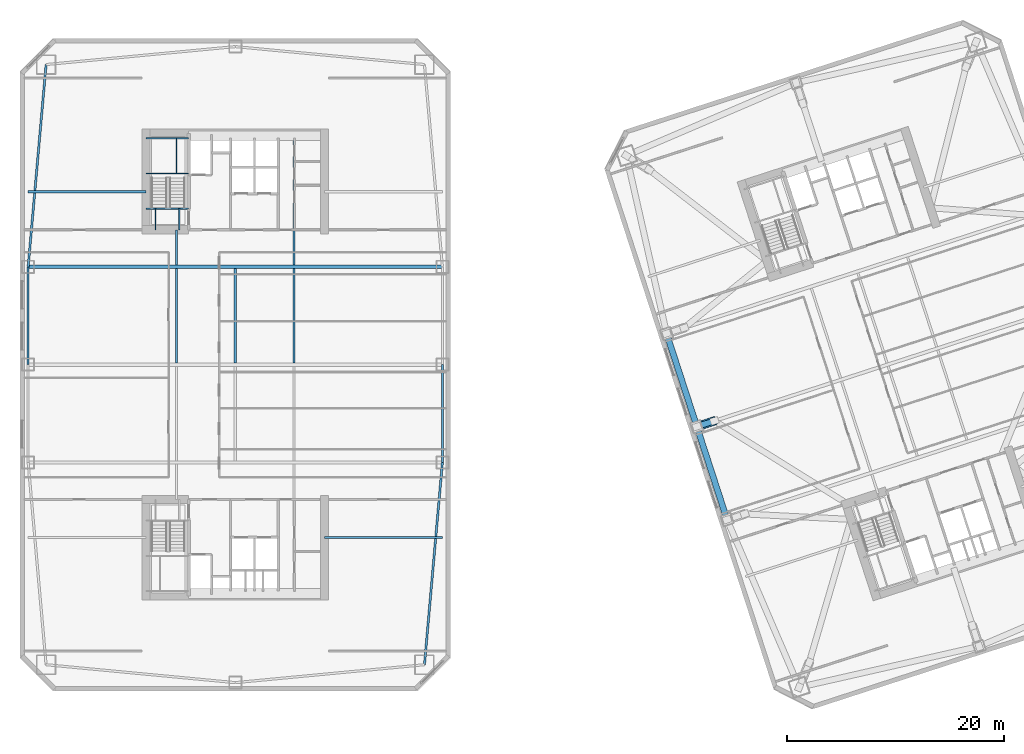
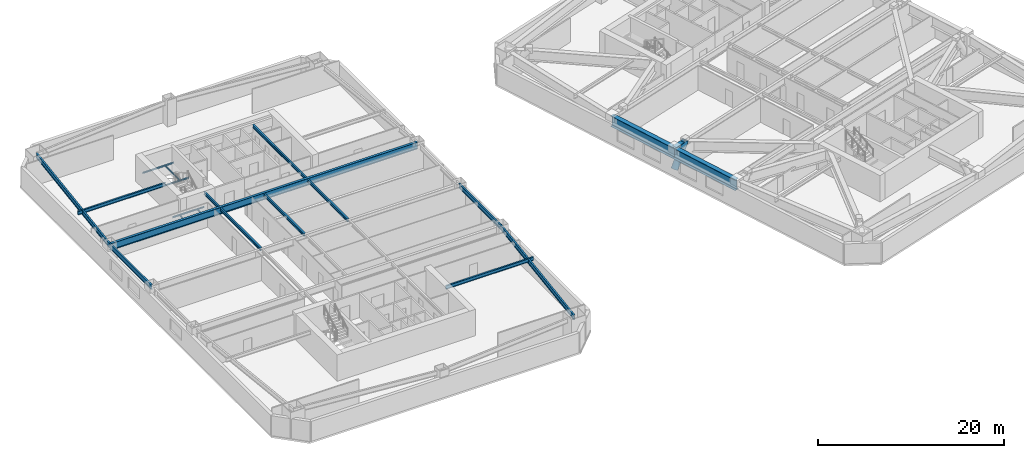
# One storey, part 3 of 18: 21 beams, 1 member.
"""IFC4 building model written with IfcOpenShell, lengths in metres."""

from ifc_helpers import new_model, si_unit, direction, frame, origin, origin_2d, place, context, subcontext, project, spatial, hollow_circle, i_section, extrude, material, material_profile, profile_set, type_object, element, save


model = new_model("IFC4")

# Units and contexts
model_context = context("Model", 3, precision=1e-05, world=origin(), true_north=direction((0.0, 1.0)))
body_context = subcontext(model_context, "Body", "Model", "MODEL_VIEW")
ifc_project = project(units=[si_unit("LENGTHUNIT", "METRE"), si_unit("AREAUNIT", "SQUARE_METRE"), si_unit("VOLUMEUNIT", "CUBIC_METRE"), si_unit("PLANEANGLEUNIT", "RADIAN"), si_unit("MASSUNIT", "GRAM", prefix="KILO")], contexts=[model_context])

# Site, building, storey
site_placement = place(None, origin())
site = spatial("IfcSite", under=ifc_project, at=site_placement, CompositionType="ELEMENT")
building_placement = place(site_placement, origin())
building = spatial("IfcBuilding", under=site, at=building_placement, Name="Qiaolan Cultural Towers", CompositionType="ELEMENT")
storey_placement = place(building_placement, frame((0.0, 0.0, 74.75)))
storey = spatial("IfcBuildingStorey", under=building, at=storey_placement, Name="L18", CompositionType="ELEMENT", Elevation=74.75)

# Beams
ifc_material_1 = material(Name="Steel Q420GJB", Category="steel")
ifc_material_profile_1 = material_profile(ifc_material_1, i_section(OverallWidth=0.550048828125, OverallDepth=1.39990234375, WebThickness=0.031982421875, FlangeThickness=0.050048828125, at=origin_2d()), Name="BH1400x550x32x50")
ifc_profile_set_1 = profile_set([ifc_material_profile_1], Name="Steel Q420GJB")
beam_type_1 = type_object("IfcBeamType", Name="BM-BH1400x550x32x50", PredefinedType="BEAM", material=ifc_profile_set_1)
beam_1_placement = place(storey_placement, frame((72.453125, 28.298583984375, 2.530029296875), z_axis=(0.951040401051, 0.309066587596, 0.0), x_axis=(-0.309066587596, 0.951040401051, 0.0)))
element("IfcBeam", 1, at=beam_1_placement, inside=storey, type_object=beam_type_1, Name="L18 T2 Setback Transfer Girder PC-W2-A", PredefinedType="BEAM", context=body_context, shape_type="SweptSolid", body=[
    extrude(i_section(OverallWidth=0.550048828125, OverallDepth=1.39990234375, WebThickness=0.031982421875, FlangeThickness=0.050048828125, at=origin_2d()), origin(), (0.0, 0.0, 1.0), 1.699951171875),
])
for number, where, z_axis, x_axis, name in (
    (2, (69.671875, 36.858154296875, 2.489990234375), (0.309024734286, -0.951054001411, 0.0), (0.951054001411, 0.309024734286, 0.0), "L18 T2 Perimeter Spandrel Beam 10"),
    (3, (72.453125, 28.298583984375, 2.489990234375), (0.309000197986, -0.951061973609, 0.0), (0.951061973609, 0.309000197986, 0.0), "L18 T2 Perimeter Spandrel Beam 11"),
):
    element("IfcBeam", number, at=place(storey_placement, frame(where, z_axis=z_axis, x_axis=x_axis)), inside=storey, type_object=beam_type_1, Name=name, PredefinedType="BEAM", context=body_context, shape_type="SweptSolid", body=[
        extrude(i_section(OverallWidth=0.550048828125, OverallDepth=1.39990234375, WebThickness=0.031982421875, FlangeThickness=0.050048828125, at=origin_2d()), origin(), (0.0, 0.0, 1.0), 9.0),
    ])
ifc_material_2 = material(Name="Steel Q355B", Category="steel")
ifc_material_profile_2 = material_profile(ifc_material_2, i_section(OverallWidth=0.300048828125, OverallDepth=0.89990234375, WebThickness=0.01611328125, FlangeThickness=0.028076171875, at=origin_2d()), Name="HN900x300x16x28")
ifc_profile_set_2 = profile_set([ifc_material_profile_2], Name="Steel Q355B")
beam_type_2 = type_object("IfcBeamType", Name="BM-HN900x300x16x28", PredefinedType="BEAM", material=ifc_profile_set_2)
beam_2_placement = place(storey_placement, frame((10.949951171875, 43.0, 2.739990234375), z_axis=(1.0, 0.0, 0.0), x_axis=(0.0, 1.0, 0.0)))
element("IfcBeam", 4, at=beam_2_placement, inside=storey, type_object=beam_type_2, Name="L18 T1 Primary Transverse Girder V3", PredefinedType="BEAM", context=body_context, shape_type="SweptSolid", body=[
    extrude(i_section(OverallWidth=0.300048828125, OverallDepth=0.89990234375, WebThickness=0.01611328125, FlangeThickness=0.028076171875, at=origin_2d()), origin(), (0.0, 0.0, 1.0), 38.10009765625),
])
ifc_material_3 = material(Name="Steel Q355B", Category="steel")
ifc_material_profile_3 = material_profile(ifc_material_3, i_section(OverallWidth=0.199951171875, OverallDepth=0.39990234375, WebThickness=0.008056640625, FlangeThickness=0.012939453125, at=origin_2d()), Name="HN400x200x8x13")
ifc_profile_set_3 = profile_set([ifc_material_profile_3], Name="Steel Q355B")
beam_type_3 = type_object("IfcBeamType", Name="BM-JST-HN400x200x8x13", PredefinedType="JOIST", material=ifc_profile_set_3)
beam_3_placement = place(storey_placement, frame((24.60009765625, 34.14990234375, 2.989990234375), z_axis=(0.0, 1.0, 0.0), x_axis=(-1.0, 0.0, 0.0)))
element("IfcBeam", 5, at=beam_3_placement, inside=storey, type_object=beam_type_3, Name="L18 T1 Secondary Floor Joist U1-3", PredefinedType="JOIST", context=body_context, shape_type="SweptSolid", body=[
    extrude(i_section(OverallWidth=0.199951171875, OverallDepth=0.39990234375, WebThickness=0.008056640625, FlangeThickness=0.012939453125, at=origin_2d()), origin(), (0.0, 0.0, 1.0), 8.7001953125),
])
beam_4_placement = place(storey_placement, frame((24.60009765625, 43.14990234375, 2.989990234375), z_axis=(0.0, 1.0, 0.0), x_axis=(-1.0, 0.0, 0.0)))
element("IfcBeam", 6, at=beam_4_placement, inside=storey, type_object=beam_type_3, Name="L18 T1 Secondary Floor Joist U1-4", PredefinedType="JOIST", context=body_context, shape_type="SweptSolid", body=[
    extrude(i_section(OverallWidth=0.199951171875, OverallDepth=0.39990234375, WebThickness=0.008056640625, FlangeThickness=0.012939453125, at=origin_2d()), origin(), (0.0, 0.0, 1.0), 3.25),
])
for number, where, z_axis, x_axis, name in (
    (7, (30.0, 34.14990234375, 2.989990234375), (0.0, 1.0, 0.0), (-1.0, 0.0, 0.0), "L18 T1 Secondary Floor Joist U2-3"),
    (8, (35.39990234375, 34.14990234375, 2.989990234375), (0.0, 1.0, 0.0), (-1.0, 0.0, 0.0), "L18 T1 Secondary Floor Joist U3-3"),
):
    element("IfcBeam", number, at=place(storey_placement, frame(where, z_axis=z_axis, x_axis=x_axis)), inside=storey, type_object=beam_type_3, Name=name, PredefinedType="JOIST", context=body_context, shape_type="SweptSolid", body=[
        extrude(i_section(OverallWidth=0.199951171875, OverallDepth=0.39990234375, WebThickness=0.008056640625, FlangeThickness=0.012939453125, at=origin_2d()), origin(), (0.0, 0.0, 1.0), 8.7001953125),
    ])
beam_5_placement = place(storey_placement, frame((35.39990234375, 43.14990234375, 2.989990234375), z_axis=(0.0, 1.0, 0.0), x_axis=(-1.0, 0.0, 0.0)))
element("IfcBeam", 9, at=beam_5_placement, inside=storey, type_object=beam_type_3, Name="L18 T1 Secondary Floor Joist U3-4", PredefinedType="JOIST", context=body_context, shape_type="SweptSolid", body=[
    extrude(i_section(OverallWidth=0.199951171875, OverallDepth=0.39990234375, WebThickness=0.008056640625, FlangeThickness=0.012939453125, at=origin_2d()), origin(), (0.0, 0.0, 1.0), 11.4501953125),
])
ifc_material_4 = material(Name="Steel Q355B", Category="steel")
ifc_material_profile_4 = material_profile(ifc_material_4, i_section(OverallWidth=0.199951171875, OverallDepth=0.449951171875, WebThickness=0.009033203125, FlangeThickness=0.013916015625, at=origin_2d()), Name="HN450x200x9x14")
ifc_profile_set_4 = profile_set([ifc_material_profile_4], Name="Steel Q355B")
beam_type_4 = type_object("IfcBeamType", Name="BM-LNT-HN450x200x9x14", PredefinedType="LINTEL", material=ifc_profile_set_4)
for number, where, z_axis, x_axis, name in (
    (10, (21.800048828125, 49.89990234375, 2.965087890625), (-1.0, 0.0, 0.0), (0.0, -1.0, 0.0), "L18 T1 Core Flank Tie Lintel WN"),
    (11, (38.199951171875, 18.10009765625, 2.965087890625), (1.0, 0.0, 0.0), (0.0, 1.0, 0.0), "L18 T1 Core Flank Tie Lintel ES"),
):
    element("IfcBeam", number, at=place(storey_placement, frame(where, z_axis=z_axis, x_axis=x_axis)), inside=storey, type_object=beam_type_4, Name=name, PredefinedType="LINTEL", context=body_context, shape_type="SweptSolid", body=[
        extrude(i_section(OverallWidth=0.199951171875, OverallDepth=0.449951171875, WebThickness=0.009033203125, FlangeThickness=0.013916015625, at=origin_2d()), origin(), (0.0, 0.0, 1.0), 10.85009765625),
    ])
ifc_material_5 = material(Name="Steel Q355B", Category="steel")
ifc_material_profile_5 = material_profile(ifc_material_5, i_section(OverallWidth=0.199951171875, OverallDepth=0.60009765625, WebThickness=0.010986328125, FlangeThickness=0.01708984375, at=origin_2d()), Name="HN600x200x11x17")
ifc_profile_set_5 = profile_set([ifc_material_profile_5], Name="Steel Q355B")
beam_type_5 = type_object("IfcBeamType", Name="BM-SPD-HN600x200x11x17", PredefinedType="SPANDREL", material=ifc_profile_set_5)
beam_6_placement = place(storey_placement, frame((47.39990234375, 6.39990234375, 2.889892578125), z_axis=(0.08837000091, 0.996087718496, 0.0), x_axis=(-0.996087718496, 0.08837000091, 0.0)))
element("IfcBeam", 12, at=beam_6_placement, inside=storey, type_object=beam_type_5, Name="L18 T1 Perimeter Spandrel Beam 3", PredefinedType="SPANDREL", context=body_context, shape_type="SweptSolid", body=[
    extrude(i_section(OverallWidth=0.199951171875, OverallDepth=0.60009765625, WebThickness=0.010986328125, FlangeThickness=0.01708984375, at=origin_2d()), origin(), (0.0, 0.0, 1.0), 18.673095703125),
])
beam_7_placement = place(storey_placement, frame((49.050048828125, 25.0, 2.889892578125), z_axis=(0.0, 1.0, 0.0), x_axis=(-1.0, 0.0, 0.0)))
element("IfcBeam", 13, at=beam_7_placement, inside=storey, type_object=beam_type_5, Name="L18 T1 Perimeter Spandrel Beam 4", PredefinedType="SPANDREL", context=body_context, shape_type="SweptSolid", body=[
    extrude(i_section(OverallWidth=0.199951171875, OverallDepth=0.60009765625, WebThickness=0.010986328125, FlangeThickness=0.01708984375, at=origin_2d()), origin(), (0.0, 0.0, 1.0), 9.0),
])
beam_8_placement = place(storey_placement, frame((12.60009765625, 61.60009765625, 2.889892578125), z_axis=(-0.08837000091, -0.996087718496, 0.0), x_axis=(0.996087718496, -0.08837000091, 0.0)))
element("IfcBeam", 14, at=beam_8_placement, inside=storey, type_object=beam_type_5, Name="L18 T1 Perimeter Spandrel Beam 9", PredefinedType="SPANDREL", context=body_context, shape_type="SweptSolid", body=[
    extrude(i_section(OverallWidth=0.199951171875, OverallDepth=0.60009765625, WebThickness=0.010986328125, FlangeThickness=0.01708984375, at=origin_2d()), origin(), (0.0, 0.0, 1.0), 18.673095703125),
])
beam_9_placement = place(storey_placement, frame((10.949951171875, 43.0, 2.889892578125), z_axis=(0.0, -1.0, 0.0), x_axis=(1.0, 0.0, 0.0)))
element("IfcBeam", 15, at=beam_9_placement, inside=storey, type_object=beam_type_5, Name="L18 T1 Perimeter Spandrel Beam 10", PredefinedType="SPANDREL", context=body_context, shape_type="SweptSolid", body=[
    extrude(i_section(OverallWidth=0.199951171875, OverallDepth=0.60009765625, WebThickness=0.010986328125, FlangeThickness=0.01708984375, at=origin_2d()), origin(), (0.0, 0.0, 1.0), 9.0),
])
ifc_material_6 = material(Name="Steel Q355B", Category="steel")
ifc_material_profile_6 = material_profile(ifc_material_6, i_section(OverallWidth=0.10009765625, OverallDepth=0.199951171875, WebThickness=0.005615234375, FlangeThickness=0.008056640625, at=origin_2d()), Name="HN200x100x5.5x8")
ifc_profile_set_6 = profile_set([ifc_material_profile_6], Name="Steel Q355B")
beam_type_6 = type_object("IfcBeamType", Name="BM-STTRIM-200", PredefinedType="BEAM", material=ifc_profile_set_6)
beam_10_placement = place(storey_placement, frame((21.800048828125, 48.340087890625, -0.4599609375), z_axis=(1.0, 0.0, 0.0), x_axis=(0.0, 1.0, 0.0)))
element("IfcBeam", 16, at=beam_10_placement, inside=storey, type_object=beam_type_6, Name="L18 ST-W2 Floor Landing Header Beam", PredefinedType="BEAM", context=body_context, shape_type="SweptSolid", body=[
    extrude(i_section(OverallWidth=0.10009765625, OverallDepth=0.199951171875, WebThickness=0.005615234375, FlangeThickness=0.008056640625, at=origin_2d()), origin(), (0.0, 0.0, 1.0), 3.919921875),
])
for number, where, z_axis, x_axis, name in (
    (17, (22.64990234375, 46.39990234375, -0.4599609375), (0.0, 1.0, 0.0), (-1.0, 0.0, 0.0), "L18 ST-W2 Floor Landing Stringer 1"),
    (18, (24.85009765625, 46.39990234375, -0.4599609375), (0.0, 1.0, 0.0), (-1.0, 0.0, 0.0), "L18 ST-W2 Floor Landing Stringer 2"),
):
    element("IfcBeam", number, at=place(storey_placement, frame(where, z_axis=z_axis, x_axis=x_axis)), inside=storey, type_object=beam_type_6, Name=name, PredefinedType="BEAM", context=body_context, shape_type="SweptSolid", body=[
        extrude(i_section(OverallWidth=0.10009765625, OverallDepth=0.199951171875, WebThickness=0.005615234375, FlangeThickness=0.008056640625, at=origin_2d()), origin(), (0.0, 0.0, 1.0), 1.940185546875),
    ])
for number, where, z_axis, x_axis, name in (
    (19, (21.800048828125, 51.588623046875, 1.425048828125), (1.0, 0.0, 0.0), (0.0, 1.0, 0.0), "L18 ST-W2 Stair Landing Support Beam 1-1"),
    (20, (21.800048828125, 54.820068359375, 1.425048828125), (1.0, 0.0, 0.0), (0.0, 1.0, 0.0), "L18 ST-W2 Stair Landing Support Beam 1-2"),
):
    element("IfcBeam", number, at=place(storey_placement, frame(where, z_axis=z_axis, x_axis=x_axis)), inside=storey, type_object=beam_type_6, Name=name, PredefinedType="BEAM", context=body_context, shape_type="SweptSolid", body=[
        extrude(i_section(OverallWidth=0.10009765625, OverallDepth=0.199951171875, WebThickness=0.005615234375, FlangeThickness=0.008056640625, at=origin_2d()), origin(), (0.0, 0.0, 1.0), 3.919921875),
    ])
beam_11_placement = place(storey_placement, frame((24.610107421875, 51.588623046875, 1.425048828125), z_axis=(0.0, 1.0, 0.0), x_axis=(-1.0, 0.0, 0.0)))
element("IfcBeam", 21, at=beam_11_placement, inside=storey, type_object=beam_type_6, Name="L18 ST-W2 Stair Landing Trimmer 1", PredefinedType="BEAM", context=body_context, shape_type="SweptSolid", body=[
    extrude(i_section(OverallWidth=0.10009765625, OverallDepth=0.199951171875, WebThickness=0.005615234375, FlangeThickness=0.008056640625, at=origin_2d()), origin(), (0.0, 0.0, 1.0), 3.2314453125),
])

# Member
ifc_material_7 = material(Name="Steel Q390GJB", Category="steel")
ifc_material_profile_7 = material_profile(ifc_material_7, hollow_circle(Radius=0.39990234375, WallThickness=0.0400390625, at=origin_2d()), Name="CHS800x40")
ifc_profile_set_7 = profile_set([ifc_material_profile_7], Name="Steel Q390GJB")
member_type = type_object("IfcMemberType", Name="MBR-BRC-CHS800x40", PredefinedType="BRACE", material=ifc_profile_set_7)
member_placement = place(storey_placement, frame((72.453125, 28.298583984375, 0.300048828125), z_axis=(0.477273205908, 0.155102980839, 0.864958584128), x_axis=(-0.309066587596, 0.951040401051, 0.0)))
element("IfcMember", 22, at=member_placement, inside=storey, type_object=member_type, Name="L18 T2 Setback Transfer Raker Strut PC-W2", PredefinedType="BRACE", context=body_context, shape_type="SweptSolid", body=[
    extrude(hollow_circle(Radius=0.39990234375, WallThickness=0.0400390625, at=origin_2d()), origin(), (0.0, 0.0, 1.0), 3.387451171875),
])

save(model, "model.ifc")
